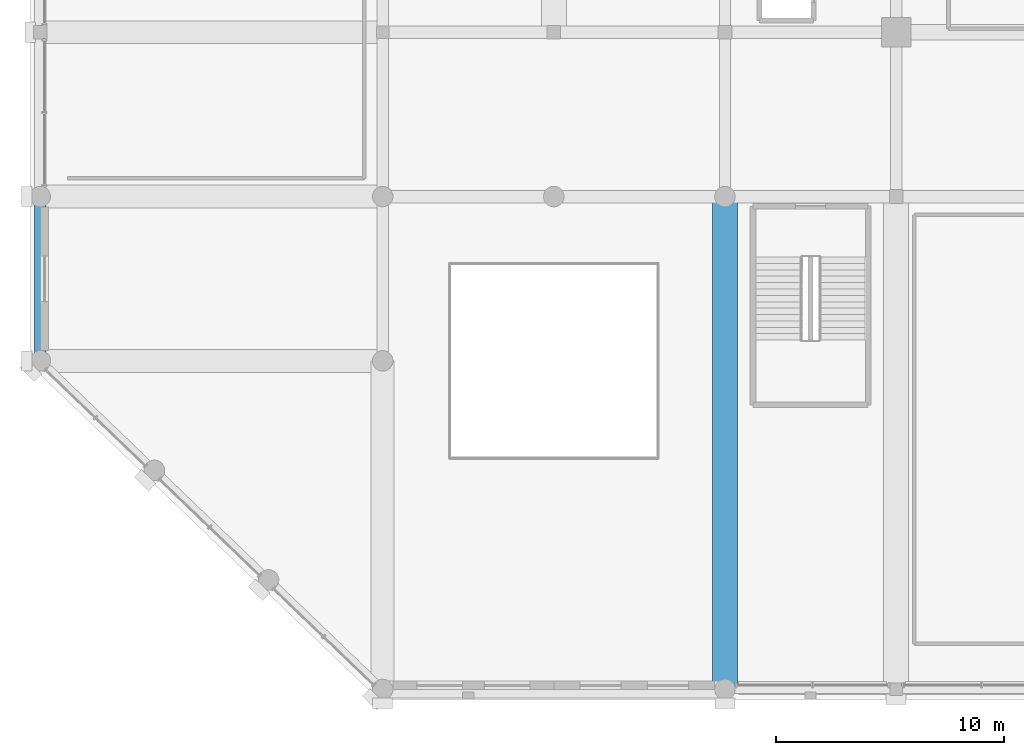
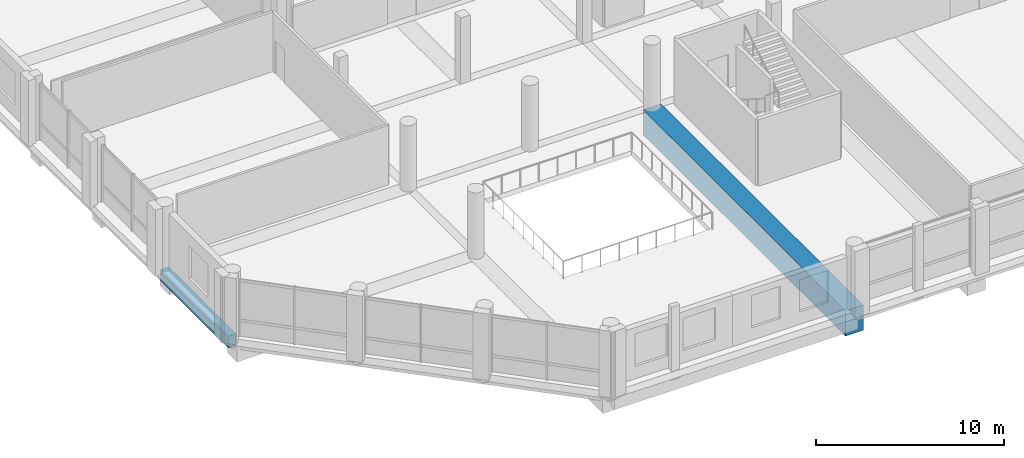
# One storey, part 11 of 68: 2 beams.
"""IFC4 building model written with IfcOpenShell, lengths in metres."""

from ifc_helpers import new_model, si_unit, direction, frame, origin, origin_2d, place, context, subcontext, project, spatial, rectangle, extrude, material, material_profile, profile_set, type_object, element, save


model = new_model("IFC4")

# Units and contexts
model_context = context("Model", 3, precision=1e-05, world=origin(), true_north=direction((0.0, 1.0)))
body_context = subcontext(model_context, "Body", "Model", "MODEL_VIEW")
ifc_project = project(units=[si_unit("LENGTHUNIT", "METRE"), si_unit("AREAUNIT", "SQUARE_METRE"), si_unit("VOLUMEUNIT", "CUBIC_METRE"), si_unit("PLANEANGLEUNIT", "RADIAN"), si_unit("MASSUNIT", "GRAM", prefix="KILO")], contexts=[model_context])

# Site, building, storey
site_placement = place(None, origin())
site = spatial("IfcSite", under=ifc_project, at=site_placement, CompositionType="ELEMENT")
building_placement = place(site_placement, origin())
building = spatial("IfcBuilding", under=site, at=building_placement, Name="Akrevak Sports Hall", CompositionType="ELEMENT")
storey_placement = place(building_placement, frame((0.0, 0.0, 9.39990234375)))
storey = spatial("IfcBuildingStorey", under=building, at=storey_placement, Name="L02", CompositionType="ELEMENT", Elevation=9.39990234375)

# Beams
ifc_material_1 = material(Name="Concrete C50/60", Category="concrete")
ifc_material_profile_1 = material_profile(ifc_material_1, rectangle(XDim=1.10009765625, YDim=1.64990234375, at=origin_2d()), Name="BM 1100x1650", Category="concrete")
ifc_profile_set_1 = profile_set([ifc_material_profile_1], Name="Concrete C50/60")
beam_type_1 = type_object("IfcBeamType", Name="STR-BM-LG1100x1650", PredefinedType="BEAM", material=ifc_profile_set_1)
beam_1_placement = place(storey_placement, frame((30.0, 0.0, -0.824951171875), z_axis=(0.0, 1.0, 0.0), x_axis=(-1.0, 0.0, 0.0)))
element("IfcBeam", 1, at=beam_1_placement, inside=storey, type_object=beam_type_1, Name="Girder 5/A-D (L02)", PredefinedType="BEAM", context=body_context, shape_type="SweptSolid", body=[
    extrude(rectangle(XDim=1.10009765625, YDim=1.64990234375, at=origin_2d()), origin(), (0.0, 0.0, 1.0), 21.60009765625),
])
ifc_material_2 = material(Name="Concrete C40/50", Category="concrete")
ifc_material_profile_2 = material_profile(ifc_material_2, rectangle(XDim=0.5, YDim=0.75, at=origin_2d()), Name="BM 500x750", Category="concrete")
ifc_profile_set_2 = profile_set([ifc_material_profile_2], Name="Concrete C40/50")
beam_type_2 = type_object("IfcBeamType", Name="STR-BM-RC500x750", PredefinedType="BEAM", material=ifc_profile_set_2)
beam_2_placement = place(storey_placement, frame((0.0, 14.39990234375, -0.375), z_axis=(0.0, 1.0, 0.0), x_axis=(-1.0, 0.0, 0.0)))
element("IfcBeam", 2, at=beam_2_placement, inside=storey, type_object=beam_type_2, Name="Girder 1/C-D (L02)", PredefinedType="BEAM", context=body_context, shape_type="SweptSolid", body=[
    extrude(rectangle(XDim=0.5, YDim=0.75, at=origin_2d()), origin(), (0.0, 0.0, 1.0), 7.2001953125),
])

save(model, "model.ifc")
